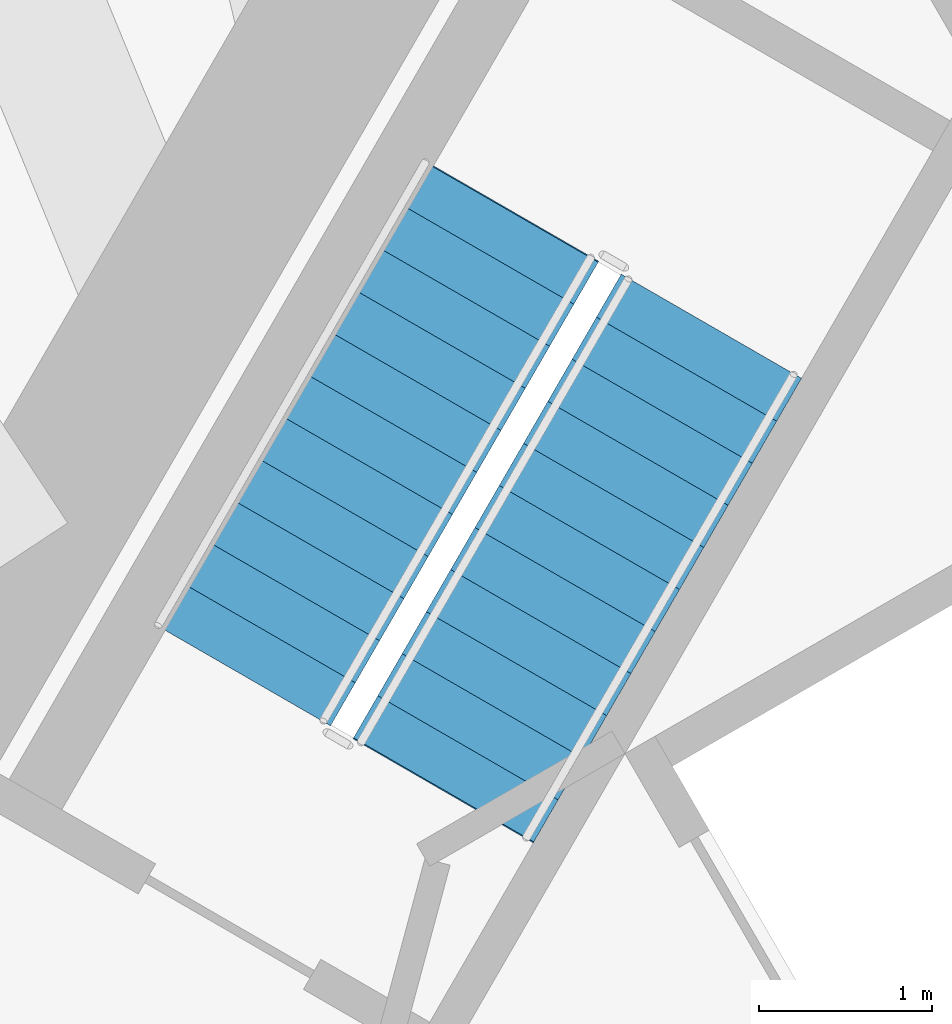
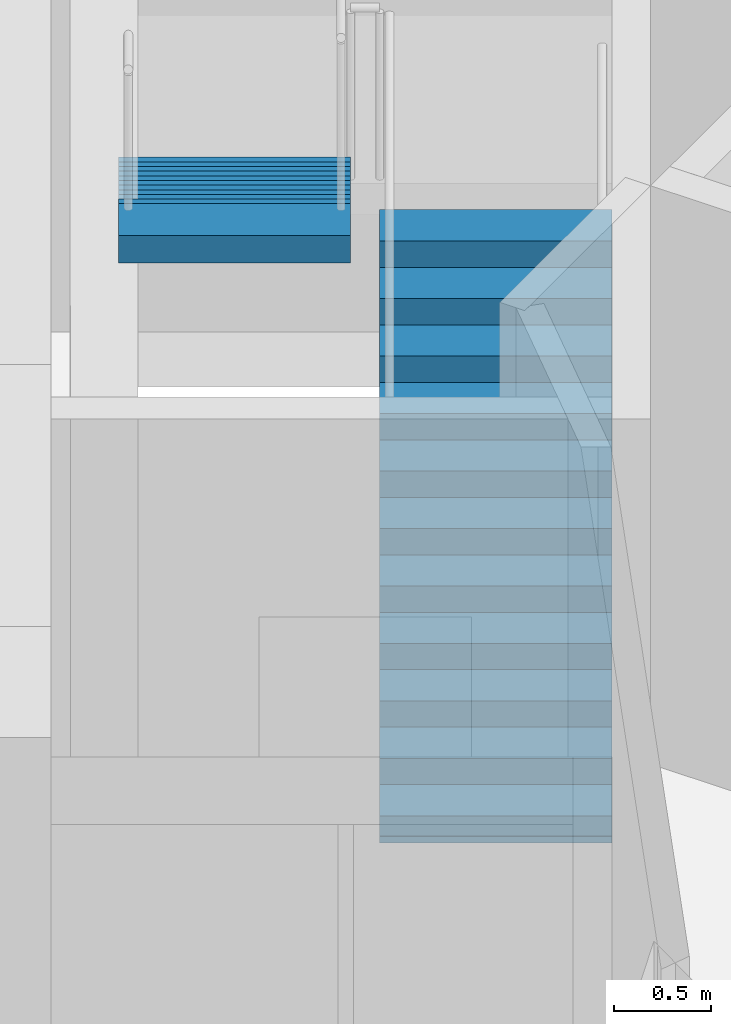
# One storey, part 10 of 13: 2 stair flights, 1 element without a shape of its own.
"""IFC4 building model written with IfcOpenShell, lengths in metres."""

from ifc_helpers import new_model, si_unit, direction, frame, origin, place, context, subcontext, project, spatial, polyline, outline, extrude, material, layer, layer_set, type_object, element, aggregate, save


model = new_model("IFC4")

# Units and contexts
model_context = context("Model", 3, precision=1e-05, world=origin(), true_north=direction((0.0, 1.0)))
body_context = subcontext(model_context, "Body", "Model", "MODEL_VIEW")
ifc_project = project(units=[si_unit("LENGTHUNIT", "METRE"), si_unit("AREAUNIT", "SQUARE_METRE"), si_unit("VOLUMEUNIT", "CUBIC_METRE"), si_unit("PLANEANGLEUNIT", "RADIAN"), si_unit("MASSUNIT", "GRAM", prefix="KILO")], contexts=[model_context])

# Site, building, storey
site_placement = place(None, origin())
site = spatial("IfcSite", under=ifc_project, at=site_placement, CompositionType="ELEMENT")
building_placement = place(site_placement, origin())
building = spatial("IfcBuilding", under=site, at=building_placement, Name="Tramontana Tower", CompositionType="ELEMENT")
storey_placement = place(building_placement, frame((0.0, 0.0, 112.39990234375)))
storey = spatial("IfcBuildingStorey", under=building, at=storey_placement, Name="L25", CompositionType="ELEMENT", Elevation=112.39990234375)

# Stair, stair flights
ifc_material_1 = material(Name="Concrete 40 MPa", Category="concrete")
stair_type = type_object("IfcStairType", Name="EXIT STAIR 24 RISERS", PredefinedType="HALF_TURN_STAIR", material=ifc_material_1)
stair_placement = place(storey_placement, origin())
stair = element("IfcStair", 1, at=stair_placement, inside=storey, type_object=stair_type, Name="L25 Exit stair ST1", PredefinedType="HALF_TURN_STAIR")
ifc_material_2 = material(Name="Concrete 40 MPa", Category="concrete")
ifc_layer = layer(ifc_material_2, 0.14990234375)
ifc_layer_set = layer_set([ifc_layer], Name="EXIT STAIR FLIGHT")
stair_flight_type = type_object("IfcStairFlightType", Name="EXIT STAIR FLIGHT", PredefinedType="STRAIGHT", material=ifc_layer_set)
stair_flight_1_placement = place(storey_placement, frame((-1.39111328125, 4.590576171875, 0.0), z_axis=(0.0, 0.0, 1.0), x_axis=(0.5, 0.866025403784, 0.0)))
stair_flight_1 = element("IfcStairFlight", 2, at=stair_flight_1_placement, type_object=stair_flight_type, Name="ST1 flight 1", NumberOfRisers=12, NumberOfTreads=11, PredefinedType="STRAIGHT", RiserHeight=0.166666667, TreadLength=0.28, context=body_context, shape_type="SweptSolid", body=[
    extrude(outline(polyline([(-0.006103515625, 0.0), (-0.006103515625, 0.0400390625), (0.0, 0.0400390625), (0.0, 0.166748046875), (0.280029296875, 0.166748046875), (0.280029296875, 0.333251953125), (0.56005859375, 0.333251953125), (0.56005859375, 0.5), (0.840087890625, 0.5), (0.840087890625, 0.666748046875), (1.1201171875, 0.666748046875), (1.1201171875, 0.833251953125), (1.39990234375, 0.833251953125), (1.39990234375, 1.0), (1.679931640625, 1.0), (1.679931640625, 1.166748046875), (1.9599609375, 1.166748046875), (1.9599609375, 1.333251953125), (2.239990234375, 1.333251953125), (2.239990234375, 1.5), (2.52001953125, 1.5), (2.52001953125, 1.666748046875), (2.800048828125, 1.666748046875), (2.800048828125, 1.833251953125), (3.080078125, 1.833251953125), (3.0859375, 1.833251953125), (3.0859375, 1.658935546875), (0.299072265625, 0.0), (-0.006103515625, 0.0)])), frame((0.0, 0.60009765625, 0.0), z_axis=(0.0, -1.0, 0.0), x_axis=(1.0, 0.0, 0.0)), (0.0, 0.0, 1.0), 1.199951171875),
])
stair_flight_2_placement = place(storey_placement, frame((-1.020263671875, 7.932861328125, 2.0), z_axis=(0.0, 0.0, 1.0), x_axis=(-0.5, -0.866025403784, 0.0)))
stair_flight_2 = element("IfcStairFlight", 3, at=stair_flight_2_placement, type_object=stair_flight_type, Name="ST1 flight 2", NumberOfRisers=12, NumberOfTreads=11, PredefinedType="STRAIGHT", RiserHeight=0.166666667, TreadLength=0.28, context=body_context, shape_type="SweptSolid", body=[
    extrude(outline(polyline([(-0.006103515625, 0.0), (-0.006103515625, 0.0400390625), (0.0, 0.0400390625), (0.0, 0.166748046875), (0.280029296875, 0.166748046875), (0.280029296875, 0.333251953125), (0.56005859375, 0.333251953125), (0.56005859375, 0.5), (0.840087890625, 0.5), (0.840087890625, 0.666748046875), (1.1201171875, 0.666748046875), (1.1201171875, 0.833251953125), (1.39990234375, 0.833251953125), (1.39990234375, 1.0), (1.679931640625, 1.0), (1.679931640625, 1.166748046875), (1.9599609375, 1.166748046875), (1.9599609375, 1.333251953125), (2.239990234375, 1.333251953125), (2.239990234375, 1.5), (2.52001953125, 1.5), (2.52001953125, 1.666748046875), (2.800048828125, 1.666748046875), (2.800048828125, 1.833251953125), (3.080078125, 1.833251953125), (3.0859375, 1.833251953125), (3.0859375, 1.658935546875), (0.299072265625, 0.0), (-0.006103515625, 0.0)])), frame((0.0, 0.60009765625, 0.0), z_axis=(0.0, -1.0, 0.0), x_axis=(1.0, 0.0, 0.0)), (0.0, 0.0, 1.0), 1.199951171875),
])
aggregate(stair, [stair_flight_1, stair_flight_2])

save(model, "model.ifc")
